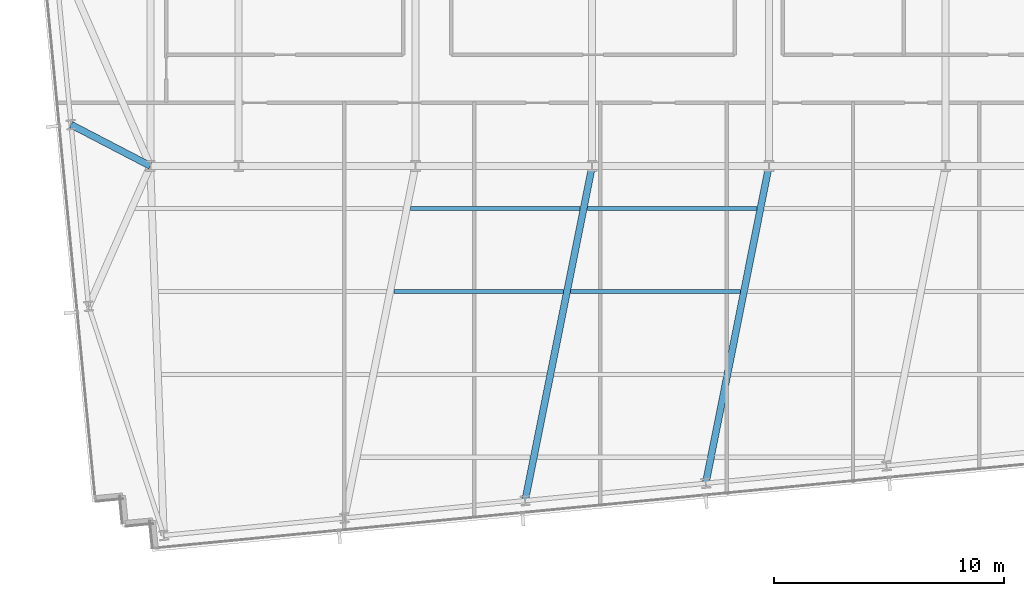
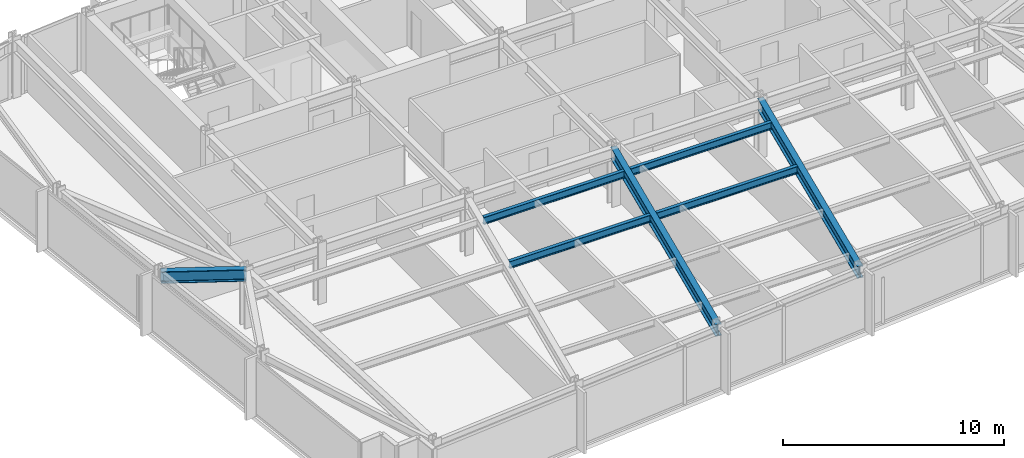
# One storey, part 5 of 32: 7 beams.
"""IFC4 building model written with IfcOpenShell, lengths in metres."""

from ifc_helpers import new_model, si_unit, direction, frame, origin, origin_2d, place, context, subcontext, project, spatial, i_section, extrude, material, material_profile, profile_set, type_object, element, save


model = new_model("IFC4")

# Units and contexts
model_context = context("Model", 3, precision=1e-05, world=origin(), true_north=direction((0.0, 1.0)))
body_context = subcontext(model_context, "Body", "Model", "MODEL_VIEW")
ifc_project = project(units=[si_unit("LENGTHUNIT", "METRE"), si_unit("AREAUNIT", "SQUARE_METRE"), si_unit("VOLUMEUNIT", "CUBIC_METRE"), si_unit("PLANEANGLEUNIT", "RADIAN"), si_unit("MASSUNIT", "GRAM", prefix="KILO")], contexts=[model_context])

# Site, building, storey
site_placement = place(None, origin())
site = spatial("IfcSite", under=ifc_project, at=site_placement, CompositionType="ELEMENT")
building_placement = place(site_placement, origin())
building = spatial("IfcBuilding", under=site, at=building_placement, Name="Yelkora Congress Tower", CompositionType="ELEMENT")
storey_placement = place(building_placement, frame((0.0, 0.0, 130.5)))
storey = spatial("IfcBuildingStorey", under=building, at=storey_placement, Name="L35", CompositionType="ELEMENT", Elevation=130.5)

# Beams
ifc_material = material(Name="Steel S355J2", Category="steel")
ifc_material_profile_1 = material_profile(ifc_material, i_section(OverallWidth=0.300048828125, OverallDepth=0.64990234375, WebThickness=0.01611328125, FlangeThickness=0.031005859375, FilletRadius=0.027099609375, at=origin_2d()), Name="HEB 650")
ifc_profile_set_1 = profile_set([ifc_material_profile_1], Name="Steel S355J2")
beam_type_1 = type_object("IfcBeamType", Name="BM-GIRD-HEB650", PredefinedType="BEAM", material=ifc_profile_set_1)
beam_1_placement = place(storey_placement, frame((35.48486328125, 10.656005859375, 2.85498046875), z_axis=(0.196521264673, 0.980499562739, 0.0), x_axis=(-0.980499562739, 0.196521264673, 0.0)))
element("IfcBeam", 1, at=beam_1_placement, inside=storey, type_object=beam_type_1, Name="L35 Primary Frame Girder S03", PredefinedType="BEAM", context=body_context, shape_type="SweptSolid", body=[
    extrude(i_section(OverallWidth=0.300048828125, OverallDepth=0.64990234375, WebThickness=0.01611328125, FlangeThickness=0.031005859375, FilletRadius=0.027099609375, at=origin_2d()), origin(), (0.0, 0.0, 1.0), 14.833251953125),
])
beam_2_placement = place(storey_placement, frame((43.334228515625, 11.411865234375, 2.85498046875), z_axis=(0.195311238928, 0.980741311432, 0.0), x_axis=(-0.980741311432, 0.195311238928, 0.0)))
element("IfcBeam", 2, at=beam_2_placement, inside=storey, type_object=beam_type_1, Name="L35 Primary Frame Girder S04", PredefinedType="BEAM", context=body_context, shape_type="SweptSolid", body=[
    extrude(i_section(OverallWidth=0.300048828125, OverallDepth=0.64990234375, WebThickness=0.01611328125, FlangeThickness=0.031005859375, FilletRadius=0.027099609375, at=origin_2d()), origin(), (0.0, 0.0, 1.0), 14.058837890625),
])
beam_3_placement = place(storey_placement, frame((15.757080078125, 26.990478515625, 2.85498046875), z_axis=(0.887192078676, -0.461400276912, 0.0), x_axis=(0.461400276912, 0.887192078676, 0.0)))
element("IfcBeam", 3, at=beam_3_placement, inside=storey, type_object=beam_type_1, Name="L35 Primary Frame Girder W02", PredefinedType="BEAM", context=body_context, shape_type="SweptSolid", body=[
    extrude(i_section(OverallWidth=0.300048828125, OverallDepth=0.64990234375, WebThickness=0.01611328125, FlangeThickness=0.031005859375, FilletRadius=0.027099609375, at=origin_2d()), origin(), (0.0, 0.0, 1.0), 3.880615234375),
])
ifc_material_profile_2 = material_profile(ifc_material, i_section(OverallWidth=0.179931640625, OverallDepth=0.39990234375, WebThickness=0.008544921875, FlangeThickness=0.013427734375, FilletRadius=0.02099609375, at=origin_2d()), Name="IPE 400")
ifc_profile_set_2 = profile_set([ifc_material_profile_2], Name="Steel S355J2")
beam_type_2 = type_object("IfcBeamType", Name="BM-JOIST-IPE400", PredefinedType="JOIST", material=ifc_profile_set_2)
beam_4_placement = place(storey_placement, frame((29.780029296875, 19.744384765625, 2.97998046875), z_axis=(1.0, 0.0, 0.0), x_axis=(0.0, 1.0, 0.0)))
element("IfcBeam", 4, at=beam_4_placement, inside=storey, type_object=beam_type_2, Name="L35 Composite Floor Joist 12", PredefinedType="JOIST", context=body_context, shape_type="SweptSolid", body=[
    extrude(i_section(OverallWidth=0.179931640625, OverallDepth=0.39990234375, WebThickness=0.008544921875, FlangeThickness=0.013427734375, FilletRadius=0.02099609375, at=origin_2d()), origin(), (0.0, 0.0, 1.0), 7.366455078125),
])
beam_5_placement = place(storey_placement, frame((37.466552734375, 19.744384765625, 2.97998046875), z_axis=(1.0, 0.0, 0.0), x_axis=(0.0, 1.0, 0.0)))
element("IfcBeam", 5, at=beam_5_placement, inside=storey, type_object=beam_type_2, Name="L35 Composite Floor Joist 13", PredefinedType="JOIST", context=body_context, shape_type="SweptSolid", body=[
    extrude(i_section(OverallWidth=0.179931640625, OverallDepth=0.39990234375, WebThickness=0.008544921875, FlangeThickness=0.013427734375, FilletRadius=0.02099609375, at=origin_2d()), origin(), (0.0, 0.0, 1.0), 7.366943359375),
])
beam_6_placement = place(storey_placement, frame((30.505859375, 23.344482421875, 2.97998046875), z_axis=(1.0, 0.0, 0.0), x_axis=(0.0, 1.0, 0.0)))
element("IfcBeam", 6, at=beam_6_placement, inside=storey, type_object=beam_type_2, Name="L35 Composite Floor Joist 19", PredefinedType="JOIST", context=body_context, shape_type="SweptSolid", body=[
    extrude(i_section(OverallWidth=0.179931640625, OverallDepth=0.39990234375, WebThickness=0.008544921875, FlangeThickness=0.013427734375, FilletRadius=0.02099609375, at=origin_2d()), origin(), (0.0, 0.0, 1.0), 7.3623046875),
])
beam_7_placement = place(storey_placement, frame((38.18798828125, 23.344482421875, 2.97998046875), z_axis=(1.0, 0.0, 0.0), x_axis=(0.0, 1.0, 0.0)))
element("IfcBeam", 7, at=beam_7_placement, inside=storey, type_object=beam_type_2, Name="L35 Composite Floor Joist 20", PredefinedType="JOIST", context=body_context, shape_type="SweptSolid", body=[
    extrude(i_section(OverallWidth=0.179931640625, OverallDepth=0.39990234375, WebThickness=0.008544921875, FlangeThickness=0.013427734375, FilletRadius=0.02099609375, at=origin_2d()), origin(), (0.0, 0.0, 1.0), 7.362548828125),
])

save(model, "model.ifc")
